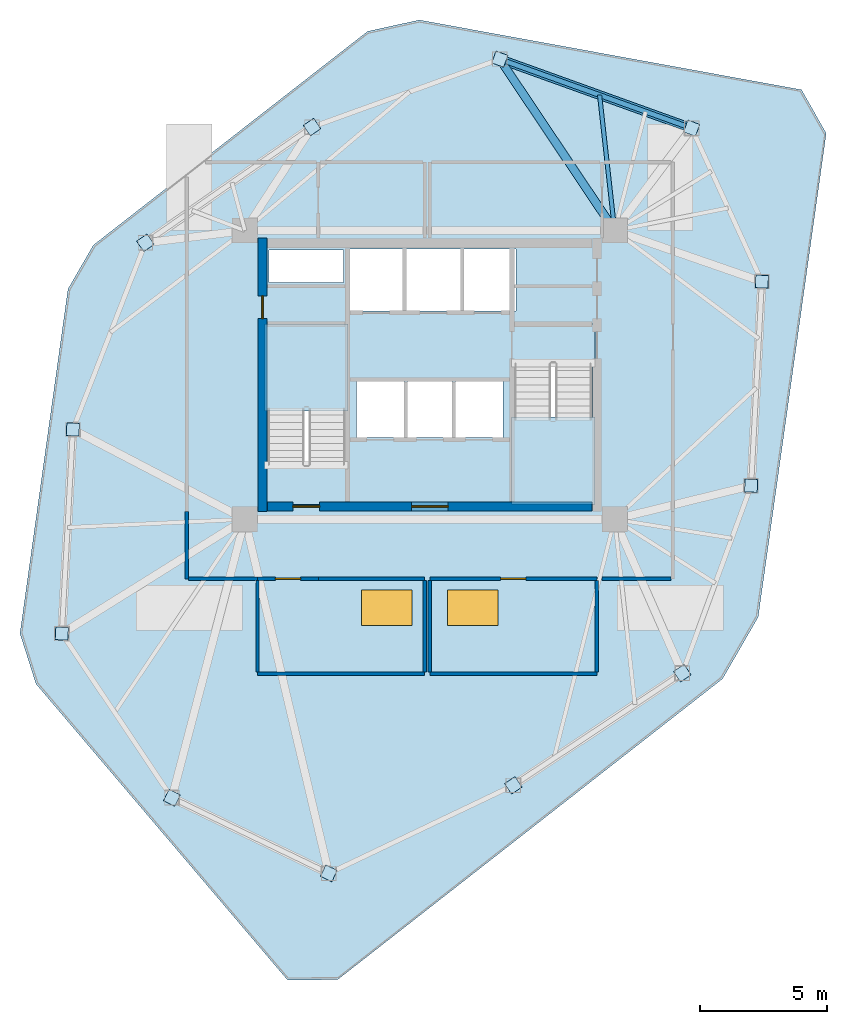
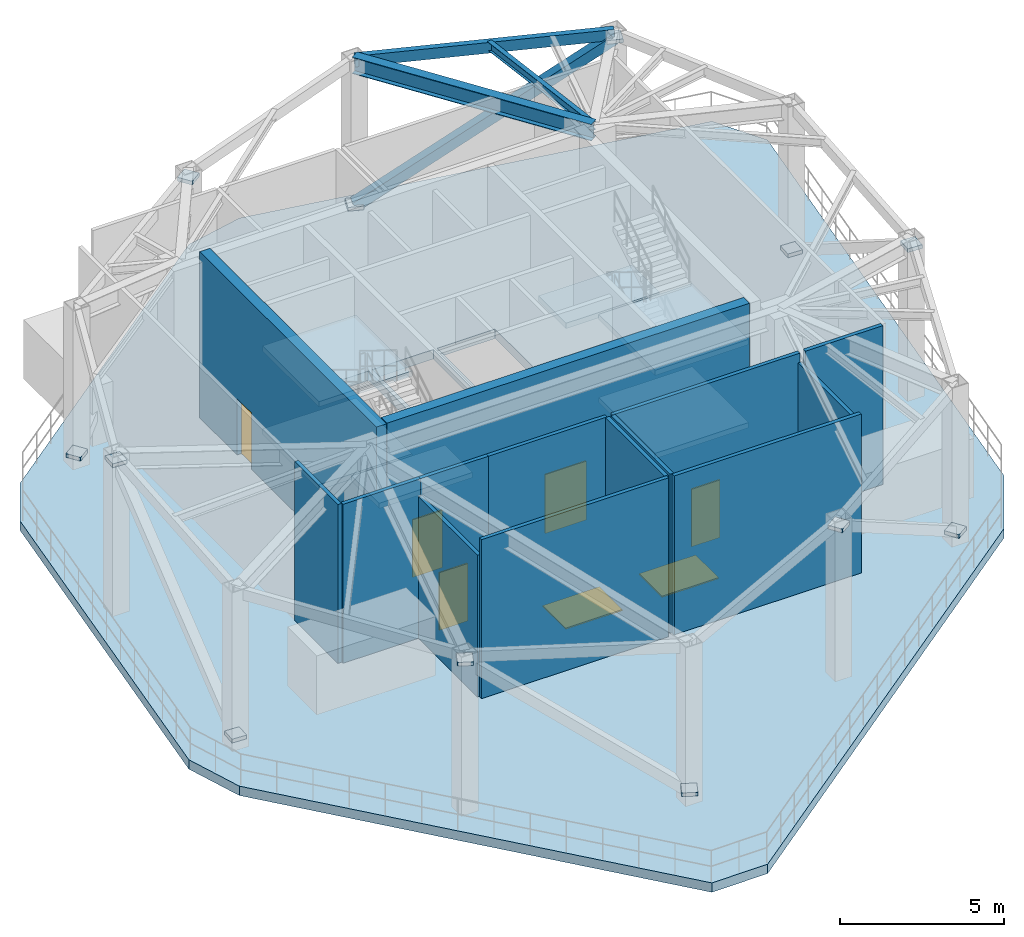
# One storey, part 2 of 7: 14 walls, 12 plates, 7 slabs, 5 doors, 3 beams, 2 windows, 1 member, 7 openings, 2 elements without a shape of their own.
"""IFC4 building model written with IfcOpenShell, lengths in metres."""

from ifc_helpers import new_model, si_unit, direction, frame, frame_2d, origin, origin_2d, place, context, subcontext, project, spatial, polyline, rectangle, hollow_rectangle, i_section, outline, extrude, source, transform, mapped, material, layer, layer_set, material_profile, profile_set, type_object, type_shapes, element, fill, aggregate, save


model = new_model("IFC4")

# Units and contexts
model_context = context("Model", 3, precision=1e-05, world=origin(), true_north=direction((0.0, 1.0)))
body_context = subcontext(model_context, "Body", "Model", "MODEL_VIEW")
ifc_project = project(units=[si_unit("LENGTHUNIT", "METRE"), si_unit("AREAUNIT", "SQUARE_METRE"), si_unit("VOLUMEUNIT", "CUBIC_METRE"), si_unit("PLANEANGLEUNIT", "RADIAN"), si_unit("MASSUNIT", "GRAM", prefix="KILO")], contexts=[model_context])

# Site, building, storey
site_placement = place(None, origin())
site = spatial("IfcSite", under=ifc_project, at=site_placement, CompositionType="ELEMENT")
building_placement = place(site_placement, origin())
building = spatial("IfcBuilding", under=site, at=building_placement, Name="Talar Marvaseh", CompositionType="ELEMENT")
storey_placement = place(building_placement, frame((0.0, 0.0, 202.0)))
storey = spatial("IfcBuildingStorey", under=building, at=storey_placement, Name="L53", CompositionType="ELEMENT", Elevation=202.0)

# Beams
ifc_material_1 = material(Name="Steel S355", Category="steel")
ifc_material_profile_1 = material_profile(ifc_material_1, hollow_rectangle(XDim=0.199951171875, YDim=0.39990234375, WallThickness=0.013916015625, at=origin_2d()), Name="RHS400x200x14")
ifc_profile_set_1 = profile_set([ifc_material_profile_1], Name="Steel S355")
beam_type_1 = type_object("IfcBeamType", Name="Zone 3 Perimeter Spandrel Beam RHS400x200x14", PredefinedType="SPANDREL", material=ifc_profile_set_1)
beam_1_placement = place(storey_placement, frame((28.76611328125, 43.66796875, 5.72998046875), z_axis=(0.940923359576, -0.3386195969, 0.0), x_axis=(0.3386195969, 0.940923359576, 0.0)))
element("IfcBeam", 1, at=beam_1_placement, inside=storey, type_object=beam_type_1, Name="L53 Zone 3 Perimeter Spandrel Beam RHS400x200x14", PredefinedType="SPANDREL", context=body_context, shape_type="SweptSolid", body=[
    extrude(hollow_rectangle(XDim=0.199951171875, YDim=0.39990234375, WallThickness=0.013916015625, at=origin_2d()), origin(), (0.0, 0.0, 1.0), 8.050537109375),
])
ifc_material_profile_2 = material_profile(ifc_material_1, i_section(OverallWidth=0.324951171875, OverallDepth=0.615966796875, WebThickness=0.013916015625, FlangeThickness=0.021484375, at=origin_2d()), Name="W610x174")
ifc_profile_set_2 = profile_set([ifc_material_profile_2], Name="Steel S355")
beam_type_2 = type_object("IfcBeamType", Name="Zone 3 Radial Floor Girder W610x174", PredefinedType="BEAM", material=ifc_profile_set_2)
beam_2_placement = place(storey_placement, frame((28.76611328125, 43.66796875, 5.6220703125), z_axis=(0.556559209375, -0.830807948, 0.0), x_axis=(0.830807948, 0.556559209375, 0.0)))
element("IfcBeam", 2, at=beam_2_placement, inside=storey, type_object=beam_type_2, Name="L53 Zone 3 Radial Floor Girder W610x174", PredefinedType="BEAM", context=body_context, shape_type="SweptSolid", body=[
    extrude(i_section(OverallWidth=0.324951171875, OverallDepth=0.615966796875, WebThickness=0.013916015625, FlangeThickness=0.021484375, at=origin_2d()), origin(), (0.0, 0.0, 1.0), 8.146484375),
])
ifc_material_profile_3 = material_profile(ifc_material_1, i_section(OverallWidth=0.166015625, OverallDepth=0.31298828125, WebThickness=0.006591796875, FlangeThickness=0.01123046875, at=origin_2d()), Name="W310x45")
ifc_profile_set_3 = profile_set([ifc_material_profile_3], Name="Steel S355")
beam_type_3 = type_object("IfcBeamType", Name="Zone 3 Secondary Floor Joist W310x45", PredefinedType="JOIST", material=ifc_profile_set_3)
beam_3_placement = place(storey_placement, frame((32.705078125, 42.25048828125, 5.7734375), z_axis=(0.110516140753, -0.993874329396, 0.0), x_axis=(0.993874329396, 0.110516140753, 0.0)))
element("IfcBeam", 3, at=beam_3_placement, inside=storey, type_object=beam_type_3, Name="L53 Zone 3 Secondary Floor Joist W310x45", PredefinedType="JOIST", context=body_context, shape_type="SweptSolid", body=[
    extrude(i_section(OverallWidth=0.166015625, OverallDepth=0.31298828125, WebThickness=0.006591796875, FlangeThickness=0.01123046875, at=origin_2d()), origin(), (0.0, 0.0, 1.0), 5.383544921875),
])

# Member
ifc_material_profile_4 = material_profile(ifc_material_1, hollow_rectangle(XDim=0.35009765625, YDim=0.35009765625, WallThickness=0.01611328125, at=origin_2d()), Name="SHS350x350x16")
ifc_profile_set_4 = profile_set([ifc_material_profile_4], Name="Steel S355")
member_type = type_object("IfcMemberType", Name="Wind Turbine Frame Strut SHS350x350x16", PredefinedType="STRUT", material=ifc_profile_set_4)
shared_shape_1 = source(origin(), body_context, "Body", "SweptSolid", [
    extrude(hollow_rectangle(XDim=0.35009765625, YDim=0.35009765625, WallThickness=0.01611328125, at=origin_2d()), origin(), (0.0, 0.0, 1.0), 9.60009765625),
])
type_shapes(member_type, [shared_shape_1])
member_placement = place(storey_placement, frame((28.76611328125, 43.66796875, 0.35009765625), z_axis=(0.78904002694, -0.283959807291, 0.54477762778), x_axis=(0.3386195969, 0.940923359576, 0.0)))
element("IfcMember", 4, at=member_placement, inside=storey, type_object=member_type, Name="L53 Wind Portal Perimeter Brace 1", PredefinedType="STRUT", context=body_context, shape_type="MappedRepresentation", body=[
    mapped(shared_shape_1, transform((0.0, 0.0, 0.0), x_axis=(1.0, 0.0, 0.0), y_axis=(0.0, 1.0, 0.0), z_axis=(0.0, 0.0, 1.0), scale=1.0)),
])

# Stair, slabs
ifc_material_2 = material(Name="Concrete C40/50", Category="concrete")
stair_type = type_object("IfcStairType", Name="Reinforced Concrete High-Rise Exit Stair Type C", PredefinedType="HALF_TURN_STAIR", material=ifc_material_2)
stair_1_placement = place(storey_placement, origin())
stair_1 = element("IfcStair", 5, at=stair_1_placement, inside=storey, type_object=stair_type, Name="L53 Tower West Core Exit Stair", PredefinedType="HALF_TURN_STAIR")
ifc_layer_1 = layer(ifc_material_2, 0.199951171875)
ifc_layer_set_1 = layer_set([ifc_layer_1], Name="Concrete C40/50")
slab_type_1 = type_object("IfcSlabType", Name="Reinforced Concrete Stair Half-Landing Slab 200", PredefinedType="LANDING", material=ifc_layer_set_1)
slab_1_placement = place(storey_placement, frame((0.0, 0.0, 1.35009765625)))
slab_1 = element("IfcSlab", 6, at=slab_1_placement, type_object=slab_type_1, Name="ST-1 landing 1", PredefinedType="LANDING", context=body_context, shape_type="SweptSolid", body=[
    extrude(outline(polyline([(22.780029296875, 29.77001953125), (22.780029296875, 33.219970703125), (19.47998046875, 33.219970703125), (19.47998046875, 29.77001953125), (22.780029296875, 29.77001953125)])), origin(), (0.0, 0.0, 1.0), 0.199951171875),
])
slab_2_placement = place(storey_placement, frame((0.0, 0.0, 2.89990234375)))
slab_2 = element("IfcSlab", 7, at=slab_2_placement, type_object=slab_type_1, Name="ST-1 landing 2", PredefinedType="LANDING", context=body_context, shape_type="SweptSolid", body=[
    extrude(outline(polyline([(22.780029296875, 26.080078125), (22.780029296875, 27.77001953125), (19.47998046875, 27.77001953125), (19.47998046875, 26.080078125), (22.780029296875, 26.080078125)])), origin(), (0.0, 0.0, 1.0), 0.2001953125),
])
slab_3_placement = place(storey_placement, frame((0.0, 0.0, 4.449951171875)))
slab_3 = element("IfcSlab", 8, at=slab_3_placement, type_object=slab_type_1, Name="ST-1 landing 3", PredefinedType="LANDING", context=body_context, shape_type="SweptSolid", body=[
    extrude(outline(polyline([(22.780029296875, 29.77001953125), (22.780029296875, 33.219970703125), (19.47998046875, 33.219970703125), (19.47998046875, 29.77001953125), (22.780029296875, 29.77001953125)])), origin(), (0.0, 0.0, 1.0), 0.199951171875),
])
aggregate(stair_1, [slab_1, slab_2, slab_3])

stair_2_placement = place(storey_placement, origin())
stair_2 = element("IfcStair", 9, at=stair_2_placement, inside=storey, type_object=stair_type, Name="L53 Tower East Core Exit Stair", PredefinedType="HALF_TURN_STAIR")
slab_4_placement = place(storey_placement, frame((0.0, 0.0, 1.35009765625)))
slab_4 = element("IfcSlab", 10, at=slab_4_placement, type_object=slab_type_1, Name="ST-2 landing 1", PredefinedType="LANDING", context=body_context, shape_type="SweptSolid", body=[
    extrude(outline(polyline([(29.219970703125, 29.530029296875), (29.219970703125, 26.080078125), (32.52001953125, 26.080078125), (32.52001953125, 29.530029296875), (29.219970703125, 29.530029296875)])), origin(), (0.0, 0.0, 1.0), 0.199951171875),
])
slab_5_placement = place(storey_placement, frame((0.0, 0.0, 2.89990234375)))
slab_5 = element("IfcSlab", 11, at=slab_5_placement, type_object=slab_type_1, Name="ST-2 landing 2", PredefinedType="LANDING", context=body_context, shape_type="SweptSolid", body=[
    extrude(outline(polyline([(29.219970703125, 33.219970703125), (29.219970703125, 31.530029296875), (32.52001953125, 31.530029296875), (32.52001953125, 33.219970703125), (29.219970703125, 33.219970703125)])), origin(), (0.0, 0.0, 1.0), 0.2001953125),
])
slab_6_placement = place(storey_placement, frame((0.0, 0.0, 4.449951171875)))
slab_6 = element("IfcSlab", 12, at=slab_6_placement, type_object=slab_type_1, Name="ST-2 landing 3", PredefinedType="LANDING", context=body_context, shape_type="SweptSolid", body=[
    extrude(outline(polyline([(29.219970703125, 29.530029296875), (29.219970703125, 26.080078125), (32.52001953125, 26.080078125), (32.52001953125, 29.530029296875), (29.219970703125, 29.530029296875)])), origin(), (0.0, 0.0, 1.0), 0.199951171875),
])
aggregate(stair_2, [slab_4, slab_5, slab_6])

# Slab, openings, windows
ifc_material_3 = material(Name="Concrete C50/60", Category="concrete")
ifc_layer_2 = layer(ifc_material_3, 0.35009765625)
ifc_layer_set_2 = layer_set([ifc_layer_2], Name="Concrete C50/60")
slab_type_2 = type_object("IfcSlabType", Name="Structural Suspended Floor Slab 350", PredefinedType="FLOOR", material=ifc_layer_set_2)
slab_7_placement = place(storey_placement, frame((0.0, 0.0, -0.35009765625)))
slab_7 = element("IfcSlab", 13, at=slab_7_placement, inside=storey, type_object=slab_type_2, Name="L53 Tower Floor Slab", PredefinedType="FLOOR", context=body_context, shape_type="SweptSolid", body=[
    extrude(outline(polyline([(22.362060546875, 7.323486328125), (20.38427734375, 7.308837890625), (10.453857421875, 18.99951171875), (9.8212890625, 20.98974609375), (11.71630859375, 34.590087890625), (12.718017578125, 36.324951171875), (23.548583984375, 44.76611328125), (25.588623046875, 45.213623046875), (40.67822265625, 42.458984375), (41.654296875, 40.739013671875), (38.967041015625, 21.638916015625), (37.5595703125, 19.20068359375), (22.362060546875, 7.323486328125)]), holes=[polyline([(22.659912109375, 27.64990234375), (22.659912109375, 33.10009765625), (19.60009765625, 33.10009765625), (19.60009765625, 27.64990234375), (22.659912109375, 27.64990234375)]), polyline([(29.340087890625, 31.64990234375), (29.340087890625, 26.199951171875), (32.39990234375, 26.199951171875), (32.39990234375, 31.64990234375), (29.340087890625, 31.64990234375)]), polyline([(22.800048828125, 33.719970703125), (24.93994140625, 33.719970703125), (24.93994140625, 36.179931640625), (22.800048828125, 36.179931640625), (22.800048828125, 33.719970703125)]), polyline([(25.080078125, 33.719970703125), (27.219970703125, 33.719970703125), (27.219970703125, 36.179931640625), (25.080078125, 36.179931640625), (25.080078125, 33.719970703125)]), polyline([(27.360107421875, 33.719970703125), (29.39990234375, 33.719970703125), (29.39990234375, 36.179931640625), (27.360107421875, 36.179931640625), (27.360107421875, 33.719970703125)]), polyline([(23.10009765625, 28.719970703125), (24.97998046875, 28.719970703125), (24.97998046875, 30.93994140625), (23.10009765625, 30.93994140625), (23.10009765625, 28.719970703125)]), polyline([(25.1201171875, 28.719970703125), (26.8798828125, 28.719970703125), (26.8798828125, 30.93994140625), (25.1201171875, 30.93994140625), (25.1201171875, 28.719970703125)]), polyline([(27.02001953125, 28.719970703125), (28.89990234375, 28.719970703125), (28.89990234375, 30.93994140625), (27.02001953125, 30.93994140625), (27.02001953125, 28.719970703125)]), polyline([(19.659912109375, 34.840087890625), (22.60009765625, 34.840087890625), (22.60009765625, 36.139892578125), (19.659912109375, 36.139892578125), (19.659912109375, 34.840087890625)])]), origin(), (0.0, 0.0, 1.0), 0.35009765625),
])
opening_1_placement = place(slab_7_placement, frame((24.300048828125, 22.0, -0.010009765625)))
opening_1 = element("IfcOpeningElement", 14, at=opening_1_placement, cuts=slab_7, Name="Opening WN-SKY20", PredefinedType="OPENING", context=body_context, shape_type="SweptSolid", body=[
    extrude(rectangle(XDim=2.0, YDim=1.39990234375, at=origin_2d()), origin(), (0.0, 0.0, 1.0), 0.3701171875),
])
opening_2_placement = place(slab_7_placement, frame((27.699951171875, 22.0, -0.010009765625)))
opening_2 = element("IfcOpeningElement", 15, at=opening_2_placement, cuts=slab_7, Name="Opening WN-SKY20", PredefinedType="OPENING", context=body_context, shape_type="SweptSolid", body=[
    extrude(rectangle(XDim=2.0, YDim=1.39990234375, at=origin_2d()), origin(), (0.0, 0.0, 1.0), 0.3701171875),
])
ifc_material_4 = material(Name="Laminated Low-E Solar Glass", Category="glass")
window_type = type_object("IfcWindowType", Name="Upper Atrium Smoke-Rated Roof Skylight 2000x1400", PartitioningType="SINGLE_PANEL", PredefinedType="SKYLIGHT", material=ifc_material_4)
window_1_placement = place(slab_7_placement, frame((24.300048828125, 22.0, 0.300048828125)))
window_1 = element("IfcWindow", 16, at=window_1_placement, inside=storey, type_object=window_type, Name="L53 Atrium Compartment Smoke-Rated Skylight", OverallHeight=1.39990234375, OverallWidth=2.0, PartitioningType="SINGLE_PANEL", PredefinedType="SKYLIGHT", context=body_context, shape_type="SweptSolid", body=[
    extrude(rectangle(XDim=2.0, YDim=1.39990234375, at=origin_2d()), origin(), (0.0, 0.0, 1.0), 0.050048828125),
])
fill(opening_1, window_1)
window_2_placement = place(slab_7_placement, frame((27.699951171875, 22.0, 0.300048828125)))
window_2 = element("IfcWindow", 17, at=window_2_placement, inside=storey, type_object=window_type, Name="L53 Atrium Compartment Smoke-Rated Skylight", OverallHeight=1.39990234375, OverallWidth=2.0, PartitioningType="SINGLE_PANEL", PredefinedType="SKYLIGHT", context=body_context, shape_type="SweptSolid", body=[
    extrude(rectangle(XDim=2.0, YDim=1.39990234375, at=origin_2d()), origin(), (0.0, 0.0, 1.0), 0.050048828125),
])
fill(opening_2, window_2)

# Plates
ifc_material_5 = material(Name="Steel S460", Category="steel")
ifc_layer_3 = layer(ifc_material_5, 0.02490234375)
ifc_layer_set_3 = layer_set([ifc_layer_3], Name="Steel S460")
plate_type = type_object("IfcPlateType", Name="Crown Box End Closure Cap Plate 25", PredefinedType="USERDEFINED", material=ifc_layer_set_3)
shared_shape_2 = source(origin(), body_context, "Body", "SweptSolid", [
    extrude(rectangle(XDim=0.5, YDim=0.5, at=origin_2d()), origin(), (0.0, 0.0, 1.0), 0.139892578125),
])
type_shapes(plate_type, [shared_shape_2])
for number, where, z_axis, x_axis, name in (
    (18, (28.76611328125, 43.66796875, 0.2802734375), (0.0, 0.0, 1.0), (0.940880768954, -0.338737920245, 0.0), "L53 Hollow Member End Cap Plate"),
    (19, (36.341064453125, 40.94189453125, 5.51025390625), (0.0, 0.0, 1.0), (0.940880768954, -0.338737920245, 0.0), "L53 Hollow Member End Cap Plate"),
    (20, (39.113037109375, 34.884033203125, 0.2802734375), (0.0, 0.0, 1.0), (-0.052335956243, -0.998629534755, 0.0), "L53 Hollow Member End Cap Plate"),
    (21, (38.68896484375, 26.823974609375, 5.51025390625), (0.0, 0.0, 1.0), (-0.052335956243, -0.998629534755, 0.0), "L53 Hollow Member End Cap Plate"),
    (22, (35.970947265625, 19.423095703125, 0.2802734375), (0.0, 0.0, 1.0), (-0.83292124071, -0.553391549243, 0.0), "L53 Hollow Member End Cap Plate"),
    (23, (29.299072265625, 14.993896484375, 5.51025390625), (0.0, 0.0, 1.0), (-0.83292124071, -0.553391549243, 0.0), "L53 Hollow Member End Cap Plate"),
    (24, (22.014892578125, 11.51904296875, 0.2802734375), (0.0, 0.0, 1.0), (-0.901077021322, 0.433659084588, 0.0), "L53 Hollow Member End Cap Plate"),
    (25, (15.819091796875, 14.5009765625, 5.51025390625), (0.0, 0.0, 1.0), (-0.901077021322, 0.433659084588, 0.0), "L53 Hollow Member End Cap Plate"),
    (26, (11.471923828125, 20.986083984375, 0.2802734375), (0.0, 0.0, 1.0), (0.054078812985, 0.998536670326, 0.0), "L53 Hollow Member End Cap Plate"),
    (27, (11.908935546875, 29.044921875, 5.51025390625), (0.0, 0.0, 1.0), (0.054078812985, 0.998536670326, 0.0), "L53 Hollow Member End Cap Plate"),
    (28, (14.77294921875, 36.416015625, 0.2802734375), (0.0, 0.0, 1.0), (0.821149209134, 0.570713567684, 0.0), "L53 Hollow Member End Cap Plate"),
    (29, (21.35205078125, 40.986083984375, 5.51025390625), (0.0, 0.0, 1.0), (0.821149209134, 0.570713567684, 0.0), "L53 Hollow Member End Cap Plate"),
):
    element("IfcPlate", number, at=place(storey_placement, frame(where, z_axis=z_axis, x_axis=x_axis)), inside=storey, type_object=plate_type, Name=name, ObjectType="CAP_PLATE", PredefinedType="USERDEFINED", context=body_context, shape_type="MappedRepresentation", body=[
        mapped(shared_shape_2, transform((0.0, 0.0, 0.0), x_axis=(1.0, 0.0, 0.0), y_axis=(0.0, 1.0, 0.0), z_axis=(0.0, 0.0, 1.0), scale=1.0)),
    ])

# Wall, opening, door
ifc_material_6 = material(Name="Gypsum Board Partition Assembly")
ifc_layer_4 = layer(ifc_material_6, 0.135009765625)
ifc_layer_set_4 = layer_set([ifc_layer_4], Name="Gypsum Board Partition Assembly")
wall_type_1 = type_object("IfcWallType", Name="Gallery High-Acoustic Partition 135", PredefinedType="PARTITIONING", material=ifc_layer_set_4)
wall_1_placement = place(storey_placement, frame((19.199951171875, 23.14990234375, 0.0), z_axis=(0.0, 0.0, 1.0), x_axis=(1.0, 0.0, 0.0)))
wall_1 = element("IfcWall", 30, at=wall_1_placement, inside=storey, type_object=wall_type_1, Name="L53 Interior Partition Wall", PredefinedType="PARTITIONING", context=body_context, shape_type="SweptSolid", body=[
    extrude(rectangle(XDim=2.400146484375, YDim=0.135009765625, at=frame_2d((1.2001953125, 0.0))), origin(), (0.0, 0.0, 1.0), 5.929931640625),
])
opening_3_placement = place(wall_1_placement, frame((0.699951171875, 0.0, 0.0)))
opening_3 = element("IfcOpeningElement", 31, at=opening_3_placement, cuts=wall_1, Name="Opening DR-RM100", PredefinedType="OPENING", context=body_context, shape_type="SweptSolid", body=[
    extrude(rectangle(XDim=1.0, YDim=2.14990234375, at=frame_2d((0.5, 1.074951171875))), frame((0.0, 0.07763671875, 0.0), z_axis=(0.0, -1.0, 0.0), x_axis=(1.0, 0.0, 0.0)), (0.0, 0.0, 1.0), 0.155029296875),
])
ifc_material_7 = material(Name="Acoustic Engineered Oak Timber", Category="wood")
door_type_1 = type_object("IfcDoorType", Name="Corridor Fire-Rated Gallery Door 1000x2150", OperationType="NOTDEFINED", PredefinedType="DOOR", material=ifc_material_7)
shared_shape_3 = source(origin(), body_context, "Body", "SweptSolid", [
    extrude(rectangle(XDim=1.0, YDim=2.14990234375, at=frame_2d((0.5, 1.074951171875))), frame((0.0, 0.02490234375, 0.0), z_axis=(0.0, -1.0, 0.0), x_axis=(1.0, 0.0, 0.0)), (0.0, 0.0, 1.0), 0.050048828125),
])
type_shapes(door_type_1, [shared_shape_3])
door_1_placement = place(opening_3_placement, origin())
door_1 = element("IfcDoor", 32, at=door_1_placement, inside=storey, type_object=door_type_1, Name="L53 Turbine Power Inverter Switchroom Door", OperationType="SINGLE_SWING_LEFT", OverallHeight=2.14990234375, OverallWidth=1.0, PredefinedType="DOOR", context=body_context, shape_type="MappedRepresentation", body=[
    mapped(shared_shape_3, transform((0.0, 0.0, 0.0), x_axis=(1.0, 0.0, 0.0), y_axis=(0.0, 1.0, 0.0), z_axis=(0.0, 0.0, 1.0), scale=1.0)),
])
fill(opening_3, door_1)

wall_2_placement = place(storey_placement, frame((26.0, 23.14990234375, 0.0), z_axis=(0.0, 0.0, 1.0), x_axis=(1.0, 0.0, 0.0)))
wall_2 = element("IfcWall", 33, at=wall_2_placement, inside=storey, type_object=wall_type_1, Name="L53 Interior Partition Wall", PredefinedType="PARTITIONING", context=body_context, shape_type="SweptSolid", body=[
    extrude(rectangle(XDim=6.60009765625, YDim=0.135009765625, at=frame_2d((3.300048828125, 0.0))), origin(), (0.0, 0.0, 1.0), 5.929931640625),
])
opening_4_placement = place(wall_2_placement, frame((2.800048828125, 0.0, 0.0)))
opening_4 = element("IfcOpeningElement", 34, at=opening_4_placement, cuts=wall_2, Name="Opening DR-RM100", PredefinedType="OPENING", context=body_context, shape_type="SweptSolid", body=[
    extrude(rectangle(XDim=1.0, YDim=2.14990234375, at=frame_2d((0.5, 1.074951171875))), frame((0.0, 0.07763671875, 0.0), z_axis=(0.0, -1.0, 0.0), x_axis=(1.0, 0.0, 0.0)), (0.0, 0.0, 1.0), 0.155029296875),
])
door_2_placement = place(opening_4_placement, origin())
door_2 = element("IfcDoor", 35, at=door_2_placement, inside=storey, type_object=door_type_1, Name="L53 Booster Pump Plant Room Door", OperationType="SINGLE_SWING_LEFT", OverallHeight=2.14990234375, OverallWidth=1.0, PredefinedType="DOOR", context=body_context, shape_type="MappedRepresentation", body=[
    mapped(shared_shape_3, transform((0.0, 0.0, 0.0), x_axis=(1.0, 0.0, 0.0), y_axis=(0.0, 1.0, 0.0), z_axis=(0.0, 0.0, 1.0), scale=1.0)),
])
fill(opening_4, door_2)

# Walls
wall_3_placement = place(storey_placement, frame((21.60009765625, 23.14990234375, 0.0), z_axis=(0.0, 0.0, 1.0), x_axis=(1.0, 0.0, 0.0)))
element("IfcWall", 36, at=wall_3_placement, inside=storey, type_object=wall_type_1, Name="L53 Interior Partition Wall", PredefinedType="PARTITIONING", context=body_context, shape_type="SweptSolid", body=[
    extrude(rectangle(XDim=4.199951171875, YDim=0.135009765625, at=frame_2d((2.10009765625, 0.0))), origin(), (0.0, 0.0, 1.0), 5.929931640625),
])
wall_4_placement = place(storey_placement, frame((19.199951171875, 19.39990234375, 0.0), z_axis=(0.0, 0.0, 1.0), x_axis=(1.0, 0.0, 0.0)))
element("IfcWall", 37, at=wall_4_placement, inside=storey, type_object=wall_type_1, Name="L53 Interior Partition Wall", PredefinedType="PARTITIONING", context=body_context, shape_type="SweptSolid", body=[
    extrude(rectangle(XDim=6.60009765625, YDim=0.135009765625, at=frame_2d((3.300048828125, 0.0))), origin(), (0.0, 0.0, 1.0), 5.929931640625),
])
wall_5_placement = place(storey_placement, frame((19.199951171875, 19.473388671875, 0.0), z_axis=(0.0, 0.0, 1.0), x_axis=(0.0, 1.0, 0.0)))
element("IfcWall", 38, at=wall_5_placement, inside=storey, type_object=wall_type_1, Name="L53 Interior Partition Wall", PredefinedType="PARTITIONING", context=body_context, shape_type="SweptSolid", body=[
    extrude(rectangle(XDim=3.60302734375, YDim=0.135009765625, at=frame_2d((1.801513671875, 0.0))), origin(), (0.0, 0.0, 1.0), 5.2890625),
])
wall_6_placement = place(storey_placement, frame((25.800048828125, 19.473388671875, 0.0), z_axis=(0.0, 0.0, 1.0), x_axis=(0.0, 1.0, 0.0)))
element("IfcWall", 39, at=wall_6_placement, inside=storey, type_object=wall_type_1, Name="L53 Interior Partition Wall", PredefinedType="PARTITIONING", context=body_context, shape_type="SweptSolid", body=[
    extrude(rectangle(XDim=3.60302734375, YDim=0.135009765625, at=frame_2d((1.801513671875, 0.0))), origin(), (0.0, 0.0, 1.0), 5.929931640625),
])
wall_7_placement = place(storey_placement, frame((26.0, 19.39990234375, 0.0), z_axis=(0.0, 0.0, 1.0), x_axis=(1.0, 0.0, 0.0)))
element("IfcWall", 40, at=wall_7_placement, inside=storey, type_object=wall_type_1, Name="L53 Interior Partition Wall", PredefinedType="PARTITIONING", context=body_context, shape_type="SweptSolid", body=[
    extrude(rectangle(XDim=6.60009765625, YDim=0.135009765625, at=frame_2d((3.300048828125, 0.0))), origin(), (0.0, 0.0, 1.0), 5.929931640625),
])
wall_8_placement = place(storey_placement, frame((26.0, 19.473388671875, 0.0), z_axis=(0.0, 0.0, 1.0), x_axis=(0.0, 1.0, 0.0)))
element("IfcWall", 41, at=wall_8_placement, inside=storey, type_object=wall_type_1, Name="L53 Interior Partition Wall", PredefinedType="PARTITIONING", context=body_context, shape_type="SweptSolid", body=[
    extrude(rectangle(XDim=3.60302734375, YDim=0.135009765625, at=frame_2d((1.801513671875, 0.0))), origin(), (0.0, 0.0, 1.0), 5.929931640625),
])
wall_9_placement = place(storey_placement, frame((32.60009765625, 19.473388671875, 0.0), z_axis=(0.0, 0.0, 1.0), x_axis=(0.0, 1.0, 0.0)))
element("IfcWall", 42, at=wall_9_placement, inside=storey, type_object=wall_type_1, Name="L53 Interior Partition Wall", PredefinedType="PARTITIONING", context=body_context, shape_type="SweptSolid", body=[
    extrude(rectangle(XDim=3.60302734375, YDim=0.135009765625, at=frame_2d((1.801513671875, 0.0))), origin(), (0.0, 0.0, 1.0), 5.592041015625),
])
wall_10_placement = place(storey_placement, frame((16.39990234375, 23.14990234375, 0.0), z_axis=(0.0, 0.0, 1.0), x_axis=(0.0, 1.0, 0.0)))
element("IfcWall", 43, at=wall_10_placement, inside=storey, type_object=wall_type_1, Name="L53 Interior Partition Wall", PredefinedType="PARTITIONING", context=body_context, shape_type="SweptSolid", body=[
    extrude(rectangle(XDim=2.650146484375, YDim=0.135009765625, at=frame_2d((1.3251953125, 0.0))), origin(), (0.0, 0.0, 1.0), 5.929931640625),
])
for number, where, z_axis, x_axis, name in (
    (44, (35.526611328125, 23.14990234375, 0.0), (0.0, 0.0, 1.0), (-1.0, 0.0, 0.0), "L53 Interior Partition Wall"),
    (45, (19.199951171875, 23.14990234375, 0.0), (0.0, 0.0, 1.0), (-1.0, 0.0, 0.0), "L53 Interior Partition Wall"),
):
    element("IfcWall", number, at=place(storey_placement, frame(where, z_axis=z_axis, x_axis=x_axis)), inside=storey, type_object=wall_type_1, Name=name, PredefinedType="PARTITIONING", context=body_context, shape_type="SweptSolid", body=[
        extrude(rectangle(XDim=2.7265625, YDim=0.135009765625, at=frame_2d((1.36328125, 0.0))), origin(), (0.0, 0.0, 1.0), 5.929931640625),
    ])

# Wall, opening, door
ifc_layer_5 = layer(ifc_material_3, 0.360107421875)
ifc_layer_set_5 = layer_set([ifc_layer_5], Name="Concrete C50/60")
wall_type_2 = type_object("IfcWallType", Name="Upper Core Reinforced Concrete Shear Wall 360", PredefinedType="SHEAR", material=ifc_layer_set_5)
wall_11_placement = place(storey_placement, frame((19.39990234375, 25.800048828125, 0.0), z_axis=(0.0, 0.0, 1.0), x_axis=(0.0, 1.0, 0.0)))
wall_11 = element("IfcWall", 46, at=wall_11_placement, inside=storey, type_object=wall_type_2, Name="L53 West Core Shear Wall", PredefinedType="SHEAR", context=body_context, shape_type="SweptSolid", body=[
    extrude(rectangle(XDim=10.800048828125, YDim=0.360107421875, at=frame_2d((5.39990234375, 0.0))), origin(), (0.0, 0.0, 1.0), 6.199951171875),
])
opening_5_placement = place(wall_11_placement, frame((7.6201171875, 0.0, 0.0)))
opening_5 = element("IfcOpeningElement", 47, at=opening_5_placement, cuts=wall_11, Name="Opening DR-BOH090", PredefinedType="OPENING", context=body_context, shape_type="SweptSolid", body=[
    extrude(rectangle(XDim=0.89990234375, YDim=2.10009765625, at=frame_2d((0.449951171875, 1.050048828125))), frame((0.0, 0.18994140625, 0.0), z_axis=(0.0, -1.0, 0.0), x_axis=(1.0, 0.0, 0.0)), (0.0, 0.0, 1.0), 0.380126953125),
])
ifc_material_8 = material(Name="Fire-Rated Steel Door Leaf", Category="steel")
door_type_2 = type_object("IfcDoorType", Name="Core Back-of-House Service Door 900x2100", OperationType="NOTDEFINED", PredefinedType="DOOR", material=ifc_material_8)
shared_shape_4 = source(origin(), body_context, "Body", "SweptSolid", [
    extrude(rectangle(XDim=0.89990234375, YDim=2.10009765625, at=frame_2d((0.449951171875, 1.050048828125))), frame((0.0, 0.02490234375, 0.0), z_axis=(0.0, -1.0, 0.0), x_axis=(1.0, 0.0, 0.0)), (0.0, 0.0, 1.0), 0.050048828125),
])
type_shapes(door_type_2, [shared_shape_4])
door_3_placement = place(opening_5_placement, origin())
door_3 = element("IfcDoor", 48, at=door_3_placement, inside=storey, type_object=door_type_2, Name="L53 Cleaner Core West Closet Door", OperationType="SINGLE_SWING_LEFT", OverallHeight=2.10009765625, OverallWidth=0.89990234375, PredefinedType="DOOR", context=body_context, shape_type="MappedRepresentation", body=[
    mapped(shared_shape_4, transform((0.0, 0.0, 0.0), x_axis=(1.0, 0.0, 0.0), y_axis=(0.0, 1.0, 0.0), z_axis=(0.0, 0.0, 1.0), scale=1.0)),
])
fill(opening_5, door_3)

# Wall, openings, doors
wall_12_placement = place(storey_placement, frame((32.39990234375, 26.0, 0.0), z_axis=(0.0, 0.0, 1.0), x_axis=(-1.0, 0.0, 0.0)))
wall_12 = element("IfcWall", 49, at=wall_12_placement, inside=storey, type_object=wall_type_2, Name="L53 South Core Shear Wall", PredefinedType="SHEAR", context=body_context, shape_type="SweptSolid", body=[
    extrude(rectangle(XDim=12.7998046875, YDim=0.360107421875, at=frame_2d((6.39990234375, 0.0))), origin(), (0.0, 0.0, 1.0), 6.199951171875),
])
opening_6_placement = place(wall_12_placement, frame((10.75, 0.0, 0.0)))
opening_6 = element("IfcOpeningElement", 50, at=opening_6_placement, cuts=wall_12, Name="Opening DR-ST105", PredefinedType="OPENING", context=body_context, shape_type="SweptSolid", body=[
    extrude(rectangle(XDim=1.050048828125, YDim=2.14990234375, at=frame_2d((0.52490234375, 1.074951171875))), frame((0.0, 0.18994140625, 0.0), z_axis=(0.0, -1.0, 0.0), x_axis=(1.0, 0.0, 0.0)), (0.0, 0.0, 1.0), 0.380126953125),
])
opening_7_placement = place(wall_12_placement, frame((5.669921875, 0.0, 0.0)))
opening_7 = element("IfcOpeningElement", 51, at=opening_7_placement, cuts=wall_12, Name="Opening DR-LBY145", PredefinedType="OPENING", context=body_context, shape_type="SweptSolid", body=[
    extrude(rectangle(XDim=1.449951171875, YDim=2.199951171875, at=frame_2d((0.72509765625, 1.10009765625))), frame((0.0, 0.18994140625, 0.0), z_axis=(0.0, -1.0, 0.0), x_axis=(1.0, 0.0, 0.0)), (0.0, 0.0, 1.0), 0.380126953125),
])
door_type_3 = type_object("IfcDoorType", Name="Protected Exit Stair Fire Door 1050x2150", OperationType="NOTDEFINED", PredefinedType="DOOR", material=ifc_material_8)
shared_shape_5 = source(origin(), body_context, "Body", "SweptSolid", [
    extrude(rectangle(XDim=1.050048828125, YDim=2.14990234375, at=frame_2d((0.52490234375, 1.074951171875))), frame((0.0, 0.02490234375, 0.0), z_axis=(0.0, -1.0, 0.0), x_axis=(1.0, 0.0, 0.0)), (0.0, 0.0, 1.0), 0.050048828125),
])
type_shapes(door_type_3, [shared_shape_5])
door_4_placement = place(opening_6_placement, origin())
door_4 = element("IfcDoor", 52, at=door_4_placement, inside=storey, type_object=door_type_3, Name="L53 Stair ST-1 Exit Door", OperationType="SINGLE_SWING_RIGHT", OverallHeight=2.14990234375, OverallWidth=1.050048828125, PredefinedType="DOOR", context=body_context, shape_type="MappedRepresentation", body=[
    mapped(shared_shape_5, transform((0.0, 0.0, 0.0), x_axis=(1.0, 0.0, 0.0), y_axis=(0.0, 1.0, 0.0), z_axis=(0.0, 0.0, 1.0), scale=1.0)),
])
fill(opening_6, door_4)
door_type_4 = type_object("IfcDoorType", Name="Core Lift Lobby Double Smoke Door 1450x2200", OperationType="NOTDEFINED", PredefinedType="DOOR", material=ifc_material_8)
shared_shape_6 = source(origin(), body_context, "Body", "SweptSolid", [
    extrude(rectangle(XDim=1.449951171875, YDim=2.199951171875, at=frame_2d((0.72509765625, 1.10009765625))), frame((0.0, 0.02490234375, 0.0), z_axis=(0.0, -1.0, 0.0), x_axis=(1.0, 0.0, 0.0)), (0.0, 0.0, 1.0), 0.050048828125),
])
type_shapes(door_type_4, [shared_shape_6])
door_5_placement = place(opening_7_placement, origin())
door_5 = element("IfcDoor", 53, at=door_5_placement, inside=storey, type_object=door_type_4, Name="L53 Passenger Lift Lobby Entrance Door", OperationType="DOUBLE_DOOR_SINGLE_SWING", OverallHeight=2.199951171875, OverallWidth=1.449951171875, PredefinedType="DOOR", context=body_context, shape_type="MappedRepresentation", body=[
    mapped(shared_shape_6, transform((0.0, 0.0, 0.0), x_axis=(1.0, 0.0, 0.0), y_axis=(0.0, 1.0, 0.0), z_axis=(0.0, 0.0, 1.0), scale=1.0)),
])
fill(opening_7, door_5)

save(model, "model.ifc")
